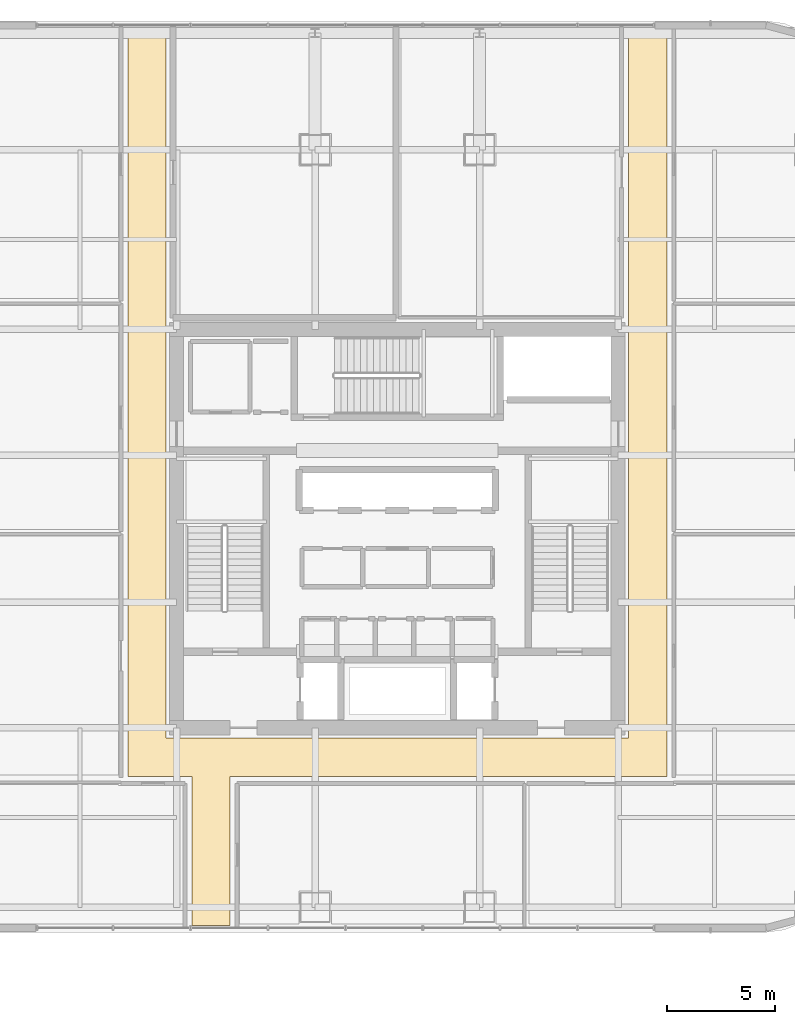
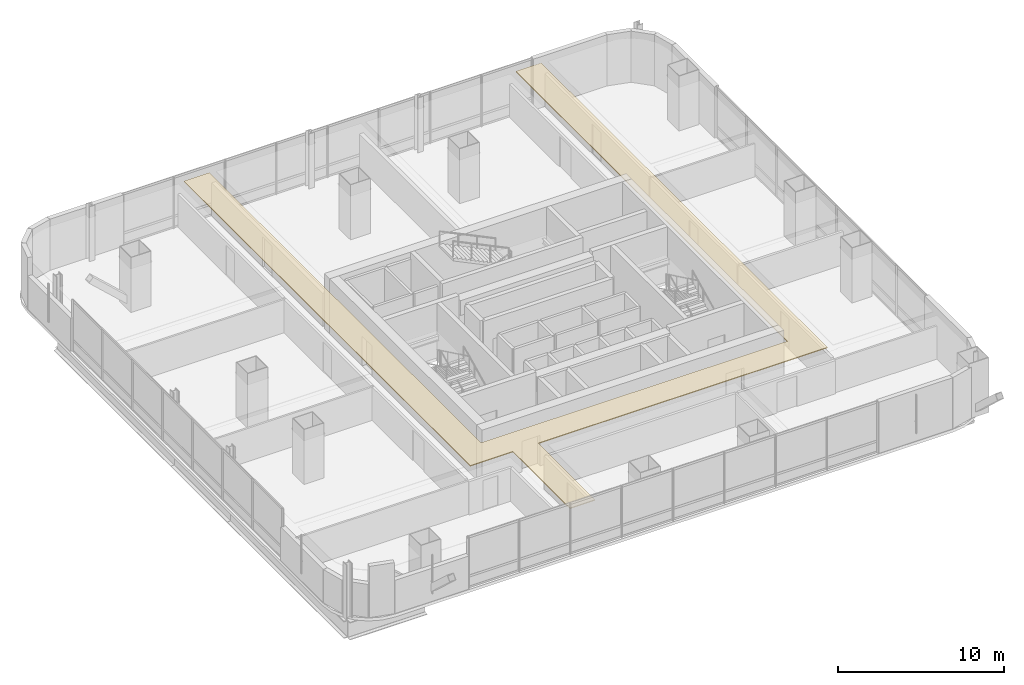
# One storey, part 41 of 47: 1 covering.
"""IFC4 building model written with IfcOpenShell, lengths in metres."""

from ifc_helpers import new_model, si_unit, direction, frame, origin, place, context, subcontext, project, spatial, polyline, outline, extrude, material, layer, layer_set, type_object, element, save


model = new_model("IFC4")

# Units and contexts
model_context = context("Model", 3, precision=1e-05, world=origin(), true_north=direction((0.0, 1.0)))
body_context = subcontext(model_context, "Body", "Model", "MODEL_VIEW")
ifc_project = project(units=[si_unit("LENGTHUNIT", "METRE"), si_unit("AREAUNIT", "SQUARE_METRE"), si_unit("VOLUMEUNIT", "CUBIC_METRE"), si_unit("PLANEANGLEUNIT", "RADIAN"), si_unit("MASSUNIT", "GRAM", prefix="KILO")], contexts=[model_context])

# Site, building, storey
site_placement = place(None, origin())
site = spatial("IfcSite", under=ifc_project, at=site_placement, CompositionType="ELEMENT")
building_placement = place(site_placement, origin())
building = spatial("IfcBuilding", under=site, at=building_placement, Name="Punatoya Terracotta Tower", CompositionType="ELEMENT")
storey_placement = place(building_placement, frame((0.0, 0.0, 168.14990234375)))
storey = spatial("IfcBuildingStorey", under=building, at=storey_placement, Name="L39", CompositionType="ELEMENT", Elevation=168.14990234375)

# Covering
ifc_material = material(Name="Acoustic Mineral Fibre Ceiling")
ifc_layer = layer(ifc_material, 0.06005859375)
ifc_layer_set = layer_set([ifc_layer], Name="Acoustic Mineral Fibre Ceiling")
covering_type = type_object("IfcCoveringType", Name="COV-CEIL-60", PredefinedType="CEILING", material=ifc_layer_set)
covering_placement = place(storey_placement, frame((0.0, 0.0, 3.22021484375)))
element("IfcCovering", 1, at=covering_placement, inside=storey, type_object=covering_type, Name="L39 Central Spine Circulation Corridor Acoustic Ceiling", PredefinedType="CEILING", context=body_context, shape_type="SweptSolid", body=[
    extrude(outline(polyline([(12.449951171875, -11.449951171875), (12.449951171875, 23.1298828125), (10.679931640625, 23.1298828125), (10.679931640625, -9.679931640625), (-10.679931640625, -9.679931640625), (-10.679931640625, 23.1298828125), (-12.449951171875, 23.1298828125), (-12.449951171875, -11.449951171875), (-9.47998046875, -11.449951171875), (-9.47998046875, -18.330078125), (-7.719970703125, -18.330078125), (-7.719970703125, -11.449951171875), (12.449951171875, -11.449951171875)])), origin(), (0.0, 0.0, 1.0), 0.059814453125),
])

save(model, "model.ifc")
